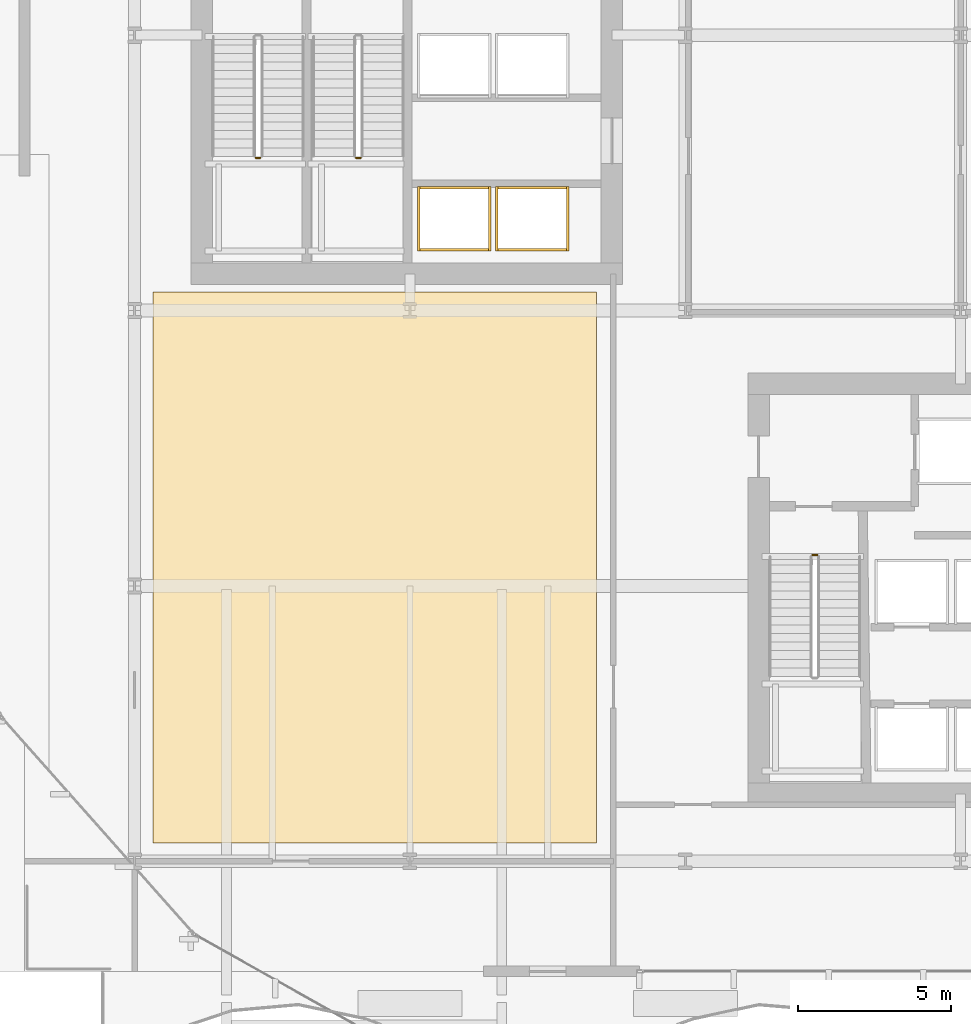
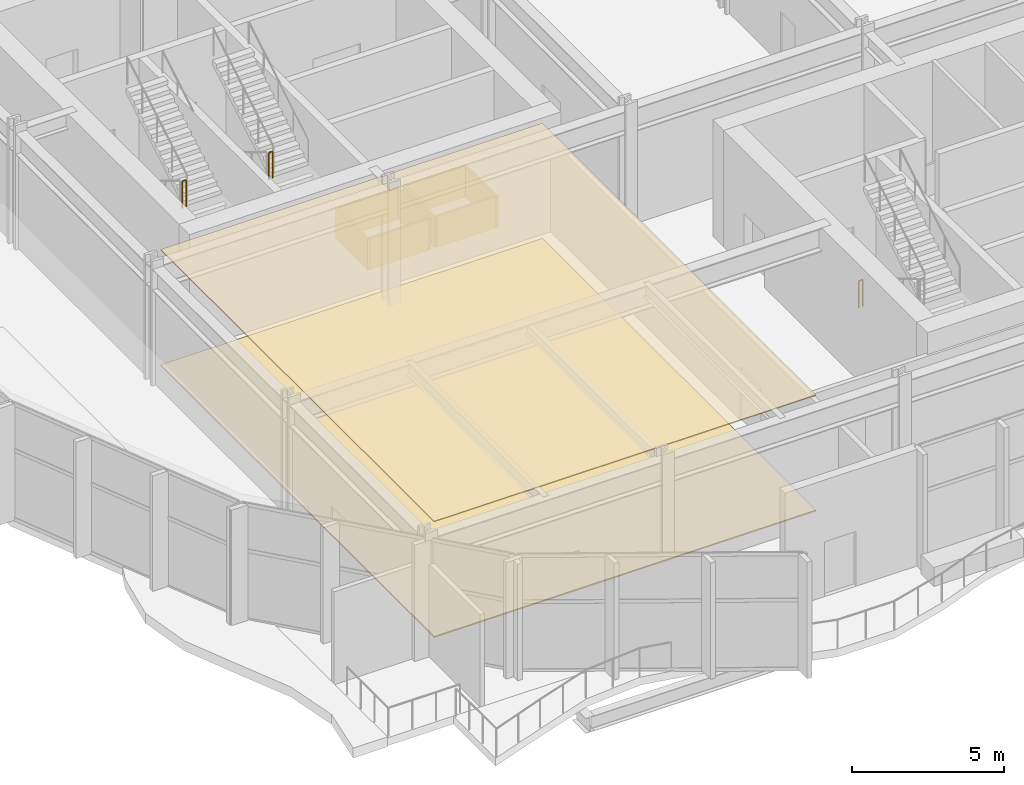
# One storey, part 24 of 28: 10 coverings, 3 railings.
"""IFC4 building model written with IfcOpenShell, lengths in metres."""

from ifc_helpers import new_model, si_unit, direction, frame, origin, origin_2d, place, context, subcontext, project, spatial, polyline, rectangle, circle, outline, extrude, material, layer, layer_set, type_object, element, save


model = new_model("IFC4")

# Units and contexts
model_context = context("Model", 3, precision=1e-05, world=origin(), true_north=direction((0.0, 1.0)))
body_context = subcontext(model_context, "Body", "Model", "MODEL_VIEW")
ifc_project = project(units=[si_unit("LENGTHUNIT", "METRE"), si_unit("AREAUNIT", "SQUARE_METRE"), si_unit("VOLUMEUNIT", "CUBIC_METRE"), si_unit("PLANEANGLEUNIT", "RADIAN"), si_unit("MASSUNIT", "GRAM", prefix="KILO")], contexts=[model_context])

# Site, building, storey
site_placement = place(None, origin())
site = spatial("IfcSite", under=ifc_project, at=site_placement, CompositionType="ELEMENT")
building_placement = place(site_placement, origin())
building = spatial("IfcBuilding", under=site, at=building_placement, Name="Solvaryn Broadcast Tower", CompositionType="ELEMENT")
storey_placement = place(building_placement, frame((0.0, 0.0, 16.199951171875)))
storey = spatial("IfcBuildingStorey", under=building, at=storey_placement, Name="L03", CompositionType="ELEMENT", Elevation=16.199951171875)

# Coverings
ifc_material_1 = material(Name="Studio Acoustic Mineral-Wool Baffle Ceiling", Category="concrete")
ifc_layer_1 = layer(ifc_material_1, 0.06005859375)
ifc_layer_set_1 = layer_set([ifc_layer_1], Name="CV-CEIL-BAFFLE")
covering_type_1 = type_object("IfcCoveringType", Name="CV-CEIL-BAFFLE", PredefinedType="CEILING", material=ifc_layer_set_1)
covering_1_placement = place(storey_placement, frame((0.0, 0.0, 4.64013671875)))
element("IfcCovering", 1, at=covering_1_placement, inside=storey, type_object=covering_type_1, Name="L03 Room Acoustic Ceiling 1", PredefinedType="CEILING", context=body_context, shape_type="SweptSolid", body=[
    extrude(outline(polyline([(9.60009765625, 9.60009765625), (24.10009765625, 9.60009765625), (24.10009765625, 27.60009765625), (9.60009765625, 27.60009765625), (9.60009765625, 9.60009765625)])), origin(), (0.0, 0.0, 1.0), 0.039794921875),
])
ifc_material_2 = material(Name="Isolated Broadcast Studio Floating Acoustic Floor", Category="concrete")
ifc_layer_2 = layer(ifc_material_2, 0.080078125)
ifc_layer_set_2 = layer_set([ifc_layer_2], Name="CV-FLOOR-STUDIO")
covering_type_2 = type_object("IfcCoveringType", Name="CV-FLOOR-STUDIO", PredefinedType="FLOORING", material=ifc_layer_set_2)
covering_2_placement = place(storey_placement, origin())
element("IfcCovering", 2, at=covering_2_placement, inside=storey, type_object=covering_type_2, Name="L03 Room Acoustic Floor Finish 1", PredefinedType="FLOORING", context=body_context, shape_type="SweptSolid", body=[
    extrude(outline(polyline([(9.60009765625, 9.60009765625), (24.10009765625, 9.60009765625), (24.10009765625, 27.60009765625), (9.60009765625, 27.60009765625), (9.60009765625, 9.60009765625)])), origin(), (0.0, 0.0, 1.0), 0.050048828125),
])
ifc_material_3 = material(Name="Fire-Rated Gypsum Shaftwall Liner", Category="concrete")
ifc_layer_3 = layer(ifc_material_3, 0.080078125)
ifc_layer_set_3 = layer_set([ifc_layer_3], Name="CV-SHAFT-LINER")
covering_type_3 = type_object("IfcCoveringType", Name="CV-SHAFT-LINER", PredefinedType="CLADDING", material=ifc_layer_set_3)
for number, where, z_axis, x_axis, name in (
    (3, (19.449951171875, 31.014892578125, 0.0), (0.0, 0.0, 1.0), (1.0, 0.0, 0.0), "L03 PH1 Hoistway Shaft Liner North"),
    (4, (19.449951171875, 28.985107421875, 0.0), (0.0, 0.0, 1.0), (1.0, 0.0, 0.0), "L03 PH1 Hoistway Shaft Liner South"),
):
    element("IfcCovering", number, at=place(storey_placement, frame(where, z_axis=z_axis, x_axis=x_axis)), inside=storey, type_object=covering_type_3, Name=name, PredefinedType="CLADDING", context=body_context, shape_type="SweptSolid", body=[
        extrude(rectangle(XDim=2.409912109375, YDim=0.080078125, at=origin_2d()), origin(), (0.0, 0.0, 1.0), 1.25),
    ])
for number, where, z_axis, x_axis, name in (
    (5, (20.614990234375, 30.0, 0.0), (0.0, 0.0, 1.0), (1.0, 0.0, 0.0), "L03 PH1 Hoistway Shaft Liner East"),
    (6, (18.284912109375, 30.0, 0.0), (0.0, 0.0, 1.0), (1.0, 0.0, 0.0), "L03 PH1 Hoistway Shaft Liner West"),
):
    element("IfcCovering", number, at=place(storey_placement, frame(where, z_axis=z_axis, x_axis=x_axis)), inside=storey, type_object=covering_type_3, Name=name, PredefinedType="CLADDING", context=body_context, shape_type="SweptSolid", body=[
        extrude(rectangle(XDim=0.080078125, YDim=2.110107421875, at=origin_2d()), origin(), (0.0, 0.0, 1.0), 1.25),
    ])
for number, where, z_axis, x_axis, name in (
    (7, (22.0, 31.014892578125, 0.0), (0.0, 0.0, 1.0), (1.0, 0.0, 0.0), "L03 PH2 Hoistway Shaft Liner North"),
    (8, (22.0, 28.985107421875, 0.0), (0.0, 0.0, 1.0), (1.0, 0.0, 0.0), "L03 PH2 Hoistway Shaft Liner South"),
):
    element("IfcCovering", number, at=place(storey_placement, frame(where, z_axis=z_axis, x_axis=x_axis)), inside=storey, type_object=covering_type_3, Name=name, PredefinedType="CLADDING", context=body_context, shape_type="SweptSolid", body=[
        extrude(rectangle(XDim=2.409912109375, YDim=0.080078125, at=origin_2d()), origin(), (0.0, 0.0, 1.0), 1.25),
    ])
for number, where, z_axis, x_axis, name in (
    (9, (23.1650390625, 30.0, 0.0), (0.0, 0.0, 1.0), (1.0, 0.0, 0.0), "L03 PH2 Hoistway Shaft Liner East"),
    (10, (20.8349609375, 30.0, 0.0), (0.0, 0.0, 1.0), (1.0, 0.0, 0.0), "L03 PH2 Hoistway Shaft Liner West"),
):
    element("IfcCovering", number, at=place(storey_placement, frame(where, z_axis=z_axis, x_axis=x_axis)), inside=storey, type_object=covering_type_3, Name=name, PredefinedType="CLADDING", context=body_context, shape_type="SweptSolid", body=[
        extrude(rectangle(XDim=0.080078125, YDim=2.110107421875, at=origin_2d()), origin(), (0.0, 0.0, 1.0), 1.25),
    ])

# Railings
ifc_material_4 = material(Name="Painted Steel Stair Well Guard", Category="steel")
railing_type = type_object("IfcRailingType", Name="RL-STAIR-GUARD", PredefinedType="BALUSTRADE", material=ifc_material_4)
railing_1_placement = place(storey_placement, frame((12.9599609375, 31.989990234375, 2.5)))
element("IfcRailing", 11, at=railing_1_placement, inside=storey, type_object=railing_type, Name="L03 ST1 stair guard 2", PredefinedType="BALUSTRADE", context=body_context, shape_type="SweptSolid", body=[
    extrude(circle(Radius=0.02392578125, at=origin_2d()), frame((0.0, 0.0, 1.076171875), z_axis=(1.0, 0.0, 0.0), x_axis=(0.0, 1.0, 0.0)), (0.0, 0.0, 1.0), 0.150146484375),
    extrude(circle(Radius=0.02099609375, at=origin_2d()), origin(), (0.0, 0.0, 1.0), 1.052001953125),
    extrude(circle(Radius=0.02099609375, at=origin_2d()), frame((0.150146484375, 0.0, 0.0)), (0.0, 0.0, 1.0), 1.052001953125),
])
railing_2_placement = place(storey_placement, frame((16.239990234375, 31.989990234375, 2.5)))
element("IfcRailing", 12, at=railing_2_placement, inside=storey, type_object=railing_type, Name="L03 ST2 stair guard 2", PredefinedType="BALUSTRADE", context=body_context, shape_type="SweptSolid", body=[
    extrude(circle(Radius=0.02392578125, at=origin_2d()), frame((0.0, 0.0, 1.076171875), z_axis=(1.0, 0.0, 0.0), x_axis=(0.0, 1.0, 0.0)), (0.0, 0.0, 1.0), 0.14990234375),
    extrude(circle(Radius=0.02099609375, at=origin_2d()), origin(), (0.0, 0.0, 1.0), 1.052001953125),
    extrude(circle(Radius=0.02099609375, at=origin_2d()), frame((0.14990234375, 0.0, 0.0)), (0.0, 0.0, 1.0), 1.052001953125),
])
railing_3_placement = place(storey_placement, frame((31.159912109375, 19.010009765625, 0.0)))
element("IfcRailing", 13, at=railing_3_placement, inside=storey, type_object=railing_type, Name="L03 ST3 stair guard 4", PredefinedType="BALUSTRADE", context=body_context, shape_type="SweptSolid", body=[
    extrude(circle(Radius=0.02392578125, at=origin_2d()), frame((0.0, 0.0, 1.076171875), z_axis=(1.0, 0.0, 0.0), x_axis=(0.0, 1.0, 0.0)), (0.0, 0.0, 1.0), 0.150146484375),
    extrude(circle(Radius=0.02099609375, at=origin_2d()), origin(), (0.0, 0.0, 1.0), 1.052001953125),
    extrude(circle(Radius=0.02099609375, at=origin_2d()), frame((0.150146484375, 0.0, 0.0)), (0.0, 0.0, 1.0), 1.052001953125),
])

save(model, "model.ifc")
